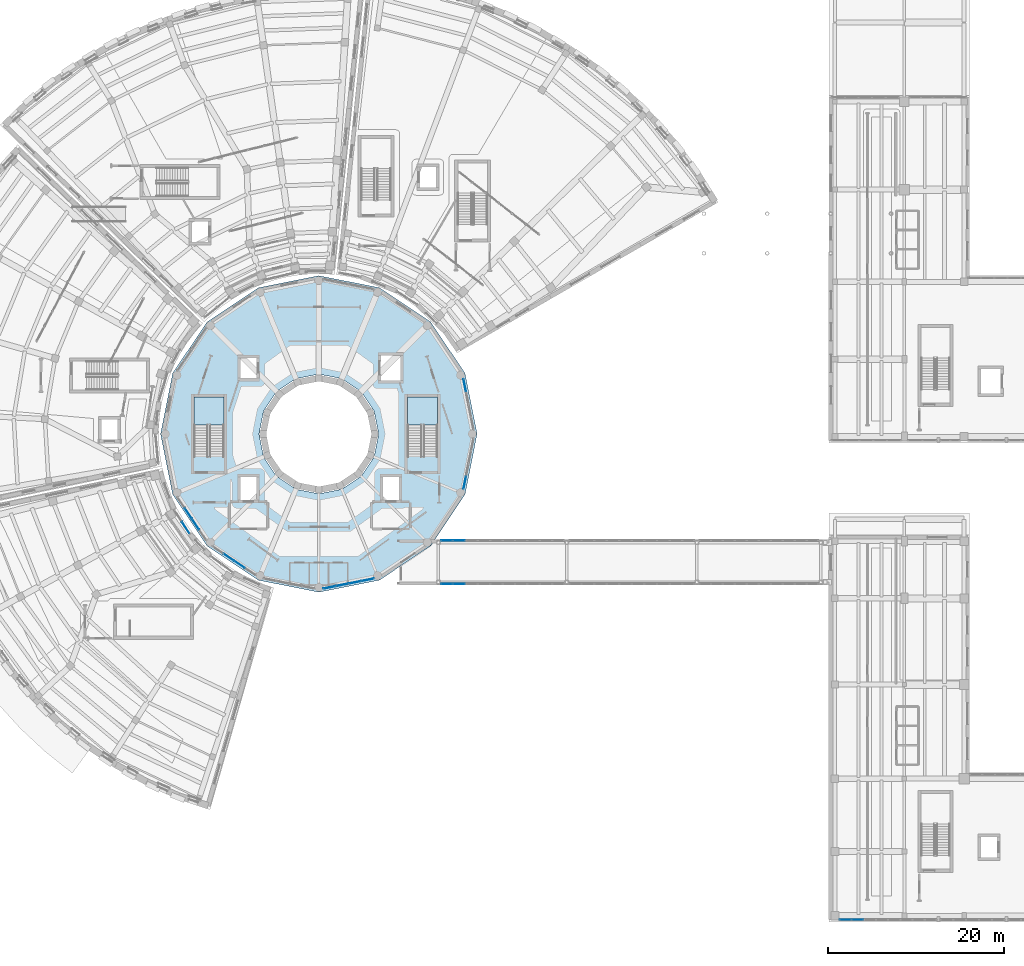
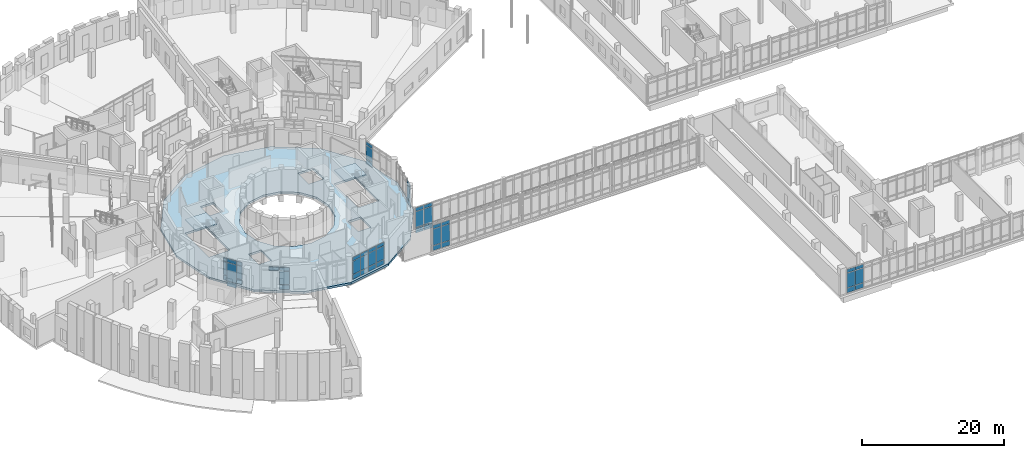
# One storey, part 47 of 89: 49 plates, 3 slabs, 11 elements without a shape of their own.
"""IFC4 building model written with IfcOpenShell, lengths in metres."""

from ifc_helpers import new_model, si_unit, direction, frame, origin, origin_2d, place, context, subcontext, project, spatial, polyline, rectangle, outline, extrude, material, layer, layer_set, type_object, element, aggregate, save


model = new_model("IFC4")

# Units and contexts
model_context = context("Model", 3, precision=1e-05, world=origin(), true_north=direction((0.0, 1.0)))
body_context = subcontext(model_context, "Body", "Model", "MODEL_VIEW")
ifc_project = project(units=[si_unit("LENGTHUNIT", "METRE"), si_unit("AREAUNIT", "SQUARE_METRE"), si_unit("VOLUMEUNIT", "CUBIC_METRE"), si_unit("PLANEANGLEUNIT", "RADIAN"), si_unit("MASSUNIT", "GRAM", prefix="KILO")], contexts=[model_context])

# Site, building, storey
site_placement = place(None, origin())
site = spatial("IfcSite", under=ifc_project, at=site_placement, CompositionType="ELEMENT")
building_placement = place(site_placement, origin())
building = spatial("IfcBuilding", under=site, at=building_placement, Name="Soyqirgoq Riverine Aquarium", CompositionType="ELEMENT")
storey_placement = place(building_placement, frame((0.0, 0.0, 5.39990234375)))
storey = spatial("IfcBuildingStorey", under=building, at=storey_placement, Name="L02", CompositionType="ELEMENT", Elevation=5.39990234375)

# Curtain wall, plates
ifc_material_1 = material(Name="Anodised aluminium thermally broken triple low-E glazing", Category="aluminium")
curtain_wall_type_1 = type_object("IfcCurtainWallType", Name="CW_DrumGallery_Unitised", PredefinedType="NOTDEFINED", material=ifc_material_1)
curtain_wall_1_placement = place(storey_placement, origin())
curtain_wall_1 = element("IfcCurtainWall", 1, at=curtain_wall_1_placement, inside=storey, type_object=curtain_wall_type_1, Name="V1 L02 Curtain Wall 002", PredefinedType="NOTDEFINED")
ifc_material_2 = material(Name="Triple insulated laminated low-E glass", Category="glass")
ifc_layer_1 = layer(ifc_material_2, 0.0458984375)
ifc_layer_set_1 = layer_set([ifc_layer_1], Name="Triple insulated laminated low-E glass")
plate_type_1 = type_object("IfcPlateType", Name="CWGlazedPanel_46", PredefinedType="CURTAIN_PANEL", material=ifc_layer_set_1)
plate_1_placement = place(storey_placement, frame((72.59423828125, 62.55908203125, 0.074951171875), z_axis=(0.0, 0.0, 1.0), x_axis=(-0.195088165618, 0.980785709335, 0.0)))
plate_1 = element("IfcPlate", 2, at=plate_1_placement, type_object=plate_type_1, Name="CW-01 panel 4.1", PredefinedType="CURTAIN_PANEL", context=body_context, shape_type="SweptSolid", body=[
    extrude(rectangle(XDim=1.389892578125, YDim=0.0458984375, at=origin_2d()), origin(), (0.0, 0.0, 1.0), 0.78759765625),
])
plate_2_placement = place(storey_placement, frame((72.59423828125, 62.55908203125, 0.937744140625), z_axis=(0.0, 0.0, 1.0), x_axis=(-0.195088165618, 0.980785709335, 0.0)))
plate_2 = element("IfcPlate", 3, at=plate_2_placement, type_object=plate_type_1, Name="CW-01 panel 4.2", PredefinedType="CURTAIN_PANEL", context=body_context, shape_type="SweptSolid", body=[
    extrude(rectangle(XDim=1.389892578125, YDim=0.0458984375, at=origin_2d()), origin(), (0.0, 0.0, 1.0), 2.27490234375),
])
plate_3_placement = place(storey_placement, frame((72.59423828125, 62.55908203125, 3.28759765625), z_axis=(0.0, 0.0, 1.0), x_axis=(-0.195088165618, 0.980785709335, 0.0)))
plate_3 = element("IfcPlate", 4, at=plate_3_placement, type_object=plate_type_1, Name="CW-01 panel 4.3", PredefinedType="CURTAIN_PANEL", context=body_context, shape_type="SweptSolid", body=[
    extrude(rectangle(XDim=1.389892578125, YDim=0.0458984375, at=origin_2d()), origin(), (0.0, 0.0, 1.0), 0.58740234375),
])
aggregate(curtain_wall_1, [plate_1, plate_2, plate_3])

curtain_wall_2_placement = place(storey_placement, origin())
curtain_wall_2 = element("IfcCurtainWall", 5, at=curtain_wall_2_placement, inside=storey, type_object=curtain_wall_type_1, Name="V1 L02 Curtain Wall 035", PredefinedType="NOTDEFINED")
plate_4_placement = place(storey_placement, frame((41.152587890625, 47.9736328125, 0.074951171875), z_axis=(0.0, 0.0, 1.0), x_axis=(0.5555648253, -0.8314732256, 0.0)))
plate_4 = element("IfcPlate", 6, at=plate_4_placement, type_object=plate_type_1, Name="CW-01 panel 2.1", PredefinedType="CURTAIN_PANEL", context=body_context, shape_type="SweptSolid", body=[
    extrude(rectangle(XDim=1.42236328125, YDim=0.0458984375, at=origin_2d()), origin(), (0.0, 0.0, 1.0), 0.78759765625),
])
plate_5_placement = place(storey_placement, frame((41.152587890625, 47.9736328125, 0.937744140625), z_axis=(0.0, 0.0, 1.0), x_axis=(0.5555648253, -0.8314732256, 0.0)))
plate_5 = element("IfcPlate", 7, at=plate_5_placement, type_object=plate_type_1, Name="CW-01 panel 2.2", PredefinedType="CURTAIN_PANEL", context=body_context, shape_type="SweptSolid", body=[
    extrude(rectangle(XDim=1.42236328125, YDim=0.0458984375, at=origin_2d()), origin(), (0.0, 0.0, 1.0), 2.27490234375),
])
plate_6_placement = place(storey_placement, frame((41.152587890625, 47.9736328125, 3.28759765625), z_axis=(0.0, 0.0, 1.0), x_axis=(0.5555648253, -0.8314732256, 0.0)))
plate_6 = element("IfcPlate", 8, at=plate_6_placement, type_object=plate_type_1, Name="CW-01 panel 2.3", PredefinedType="CURTAIN_PANEL", context=body_context, shape_type="SweptSolid", body=[
    extrude(rectangle(XDim=1.42236328125, YDim=0.0458984375, at=origin_2d()), origin(), (0.0, 0.0, 1.0), 0.58740234375),
])
plate_7_placement = place(storey_placement, frame((41.97900390625, 46.737060546875, 0.074951171875), z_axis=(0.0, 0.0, 1.0), x_axis=(0.5555648253, -0.8314732256, 0.0)))
plate_7 = element("IfcPlate", 9, at=plate_7_placement, type_object=plate_type_1, Name="CW-01 panel 3.1", PredefinedType="CURTAIN_PANEL", context=body_context, shape_type="SweptSolid", body=[
    extrude(rectangle(XDim=1.42236328125, YDim=0.0458984375, at=origin_2d()), origin(), (0.0, 0.0, 1.0), 0.78759765625),
])
plate_8_placement = place(storey_placement, frame((41.97900390625, 46.737060546875, 0.937744140625), z_axis=(0.0, 0.0, 1.0), x_axis=(0.5555648253, -0.8314732256, 0.0)))
plate_8 = element("IfcPlate", 10, at=plate_8_placement, type_object=plate_type_1, Name="CW-01 panel 3.2", PredefinedType="CURTAIN_PANEL", context=body_context, shape_type="SweptSolid", body=[
    extrude(rectangle(XDim=1.42236328125, YDim=0.0458984375, at=origin_2d()), origin(), (0.0, 0.0, 1.0), 2.27490234375),
])
plate_9_placement = place(storey_placement, frame((41.97900390625, 46.737060546875, 3.28759765625), z_axis=(0.0, 0.0, 1.0), x_axis=(0.5555648253, -0.8314732256, 0.0)))
plate_9 = element("IfcPlate", 11, at=plate_9_placement, type_object=plate_type_1, Name="CW-01 panel 3.3", PredefinedType="CURTAIN_PANEL", context=body_context, shape_type="SweptSolid", body=[
    extrude(rectangle(XDim=1.42236328125, YDim=0.0458984375, at=origin_2d()), origin(), (0.0, 0.0, 1.0), 0.58740234375),
])
aggregate(curtain_wall_2, [plate_4, plate_5, plate_6, plate_7, plate_8, plate_9])

curtain_wall_3_placement = place(storey_placement, origin())
curtain_wall_3 = element("IfcCurtainWall", 12, at=curtain_wall_3_placement, inside=storey, type_object=curtain_wall_type_1, Name="V1 L02 Curtain Wall 056", PredefinedType="NOTDEFINED")
plate_10_placement = place(storey_placement, frame((57.21435546875, 39.54150390625, 0.074951171875), z_axis=(0.0, 0.0, 1.0), x_axis=(0.980785709335, 0.195088165618, 0.0)))
plate_10 = element("IfcPlate", 13, at=plate_10_placement, type_object=plate_type_1, Name="CW-01 panel 1.1", PredefinedType="CURTAIN_PANEL", context=body_context, shape_type="SweptSolid", body=[
    extrude(rectangle(XDim=1.389892578125, YDim=0.0458984375, at=origin_2d()), origin(), (0.0, 0.0, 1.0), 0.78759765625),
])
plate_11_placement = place(storey_placement, frame((57.21435546875, 39.54150390625, 0.937744140625), z_axis=(0.0, 0.0, 1.0), x_axis=(0.980785709335, 0.195088165618, 0.0)))
plate_11 = element("IfcPlate", 14, at=plate_11_placement, type_object=plate_type_1, Name="CW-01 panel 1.2", PredefinedType="CURTAIN_PANEL", context=body_context, shape_type="SweptSolid", body=[
    extrude(rectangle(XDim=1.389892578125, YDim=0.0458984375, at=origin_2d()), origin(), (0.0, 0.0, 1.0), 2.27490234375),
])
plate_12_placement = place(storey_placement, frame((57.21435546875, 39.54150390625, 3.28759765625), z_axis=(0.0, 0.0, 1.0), x_axis=(0.980785709335, 0.195088165618, 0.0)))
plate_12 = element("IfcPlate", 15, at=plate_12_placement, type_object=plate_type_1, Name="CW-01 panel 1.3", PredefinedType="CURTAIN_PANEL", context=body_context, shape_type="SweptSolid", body=[
    extrude(rectangle(XDim=1.389892578125, YDim=0.0458984375, at=origin_2d()), origin(), (0.0, 0.0, 1.0), 0.58740234375),
])
plate_13_placement = place(storey_placement, frame((58.6572265625, 39.82861328125, 0.074951171875), z_axis=(0.0, 0.0, 1.0), x_axis=(0.980785709335, 0.195088165618, 0.0)))
plate_13 = element("IfcPlate", 16, at=plate_13_placement, type_object=plate_type_1, Name="CW-01 panel 2.1", PredefinedType="CURTAIN_PANEL", context=body_context, shape_type="SweptSolid", body=[
    extrude(rectangle(XDim=1.42236328125, YDim=0.0458984375, at=origin_2d()), origin(), (0.0, 0.0, 1.0), 0.78759765625),
])
plate_14_placement = place(storey_placement, frame((58.6572265625, 39.82861328125, 0.937744140625), z_axis=(0.0, 0.0, 1.0), x_axis=(0.980785709335, 0.195088165618, 0.0)))
plate_14 = element("IfcPlate", 17, at=plate_14_placement, type_object=plate_type_1, Name="CW-01 panel 2.2", PredefinedType="CURTAIN_PANEL", context=body_context, shape_type="SweptSolid", body=[
    extrude(rectangle(XDim=1.42236328125, YDim=0.0458984375, at=origin_2d()), origin(), (0.0, 0.0, 1.0), 2.27490234375),
])
plate_15_placement = place(storey_placement, frame((58.6572265625, 39.82861328125, 3.28759765625), z_axis=(0.0, 0.0, 1.0), x_axis=(0.980785709335, 0.195088165618, 0.0)))
plate_15 = element("IfcPlate", 18, at=plate_15_placement, type_object=plate_type_1, Name="CW-01 panel 2.3", PredefinedType="CURTAIN_PANEL", context=body_context, shape_type="SweptSolid", body=[
    extrude(rectangle(XDim=1.42236328125, YDim=0.0458984375, at=origin_2d()), origin(), (0.0, 0.0, 1.0), 0.58740234375),
])
plate_16_placement = place(storey_placement, frame((60.1162109375, 40.11865234375, 0.074951171875), z_axis=(0.0, 0.0, 1.0), x_axis=(0.980785709335, 0.195088165618, 0.0)))
plate_16 = element("IfcPlate", 19, at=plate_16_placement, type_object=plate_type_1, Name="CW-01 panel 3.1", PredefinedType="CURTAIN_PANEL", context=body_context, shape_type="SweptSolid", body=[
    extrude(rectangle(XDim=1.42236328125, YDim=0.0458984375, at=origin_2d()), origin(), (0.0, 0.0, 1.0), 0.78759765625),
])
plate_17_placement = place(storey_placement, frame((60.1162109375, 40.11865234375, 0.937744140625), z_axis=(0.0, 0.0, 1.0), x_axis=(0.980785709335, 0.195088165618, 0.0)))
plate_17 = element("IfcPlate", 20, at=plate_17_placement, type_object=plate_type_1, Name="CW-01 panel 3.2", PredefinedType="CURTAIN_PANEL", context=body_context, shape_type="SweptSolid", body=[
    extrude(rectangle(XDim=1.42236328125, YDim=0.0458984375, at=origin_2d()), origin(), (0.0, 0.0, 1.0), 2.27490234375),
])
plate_18_placement = place(storey_placement, frame((60.1162109375, 40.11865234375, 3.28759765625), z_axis=(0.0, 0.0, 1.0), x_axis=(0.980785709335, 0.195088165618, 0.0)))
plate_18 = element("IfcPlate", 21, at=plate_18_placement, type_object=plate_type_1, Name="CW-01 panel 3.3", PredefinedType="CURTAIN_PANEL", context=body_context, shape_type="SweptSolid", body=[
    extrude(rectangle(XDim=1.42236328125, YDim=0.0458984375, at=origin_2d()), origin(), (0.0, 0.0, 1.0), 0.58740234375),
])
plate_19_placement = place(storey_placement, frame((61.55908203125, 40.40576171875, 0.074951171875), z_axis=(0.0, 0.0, 1.0), x_axis=(0.980785709335, 0.195088165618, 0.0)))
plate_19 = element("IfcPlate", 22, at=plate_19_placement, type_object=plate_type_1, Name="CW-01 panel 4.1", PredefinedType="CURTAIN_PANEL", context=body_context, shape_type="SweptSolid", body=[
    extrude(rectangle(XDim=1.389892578125, YDim=0.0458984375, at=origin_2d()), origin(), (0.0, 0.0, 1.0), 0.78759765625),
])
plate_20_placement = place(storey_placement, frame((61.55908203125, 40.40576171875, 0.937744140625), z_axis=(0.0, 0.0, 1.0), x_axis=(0.980785709335, 0.195088165618, 0.0)))
plate_20 = element("IfcPlate", 23, at=plate_20_placement, type_object=plate_type_1, Name="CW-01 panel 4.2", PredefinedType="CURTAIN_PANEL", context=body_context, shape_type="SweptSolid", body=[
    extrude(rectangle(XDim=1.389892578125, YDim=0.0458984375, at=origin_2d()), origin(), (0.0, 0.0, 1.0), 2.27490234375),
])
plate_21_placement = place(storey_placement, frame((61.55908203125, 40.40576171875, 3.28759765625), z_axis=(0.0, 0.0, 1.0), x_axis=(0.980785709335, 0.195088165618, 0.0)))
plate_21 = element("IfcPlate", 24, at=plate_21_placement, type_object=plate_type_1, Name="CW-01 panel 4.3", PredefinedType="CURTAIN_PANEL", context=body_context, shape_type="SweptSolid", body=[
    extrude(rectangle(XDim=1.389892578125, YDim=0.0458984375, at=origin_2d()), origin(), (0.0, 0.0, 1.0), 0.58740234375),
])
aggregate(curtain_wall_3, [plate_10, plate_11, plate_12, plate_13, plate_14, plate_15, plate_16, plate_17, plate_18, plate_19, plate_20, plate_21])

curtain_wall_4_placement = place(storey_placement, origin())
curtain_wall_4 = element("IfcCurtainWall", 25, at=curtain_wall_4_placement, inside=storey, type_object=curtain_wall_type_1, Name="V1 L02 Curtain Wall 073", PredefinedType="NOTDEFINED")
plate_22_placement = place(storey_placement, frame((72.59423828125, 51.44091796875, 0.074951171875), z_axis=(0.0, 0.0, 1.0), x_axis=(0.195088165618, 0.980785709335, 0.0)))
plate_22 = element("IfcPlate", 26, at=plate_22_placement, type_object=plate_type_1, Name="CW-01 panel 1.1", PredefinedType="CURTAIN_PANEL", context=body_context, shape_type="SweptSolid", body=[
    extrude(rectangle(XDim=1.389892578125, YDim=0.0458984375, at=origin_2d()), origin(), (0.0, 0.0, 1.0), 0.78759765625),
])
plate_23_placement = place(storey_placement, frame((72.59423828125, 51.44091796875, 0.937744140625), z_axis=(0.0, 0.0, 1.0), x_axis=(0.195088165618, 0.980785709335, 0.0)))
plate_23 = element("IfcPlate", 27, at=plate_23_placement, type_object=plate_type_1, Name="CW-01 panel 1.2", PredefinedType="CURTAIN_PANEL", context=body_context, shape_type="SweptSolid", body=[
    extrude(rectangle(XDim=1.389892578125, YDim=0.0458984375, at=origin_2d()), origin(), (0.0, 0.0, 1.0), 2.27490234375),
])
plate_24_placement = place(storey_placement, frame((72.59423828125, 51.44091796875, 3.28759765625), z_axis=(0.0, 0.0, 1.0), x_axis=(0.195088165618, 0.980785709335, 0.0)))
plate_24 = element("IfcPlate", 28, at=plate_24_placement, type_object=plate_type_1, Name="CW-01 panel 1.3", PredefinedType="CURTAIN_PANEL", context=body_context, shape_type="SweptSolid", body=[
    extrude(rectangle(XDim=1.389892578125, YDim=0.0458984375, at=origin_2d()), origin(), (0.0, 0.0, 1.0), 0.58740234375),
])
aggregate(curtain_wall_4, [plate_22, plate_23, plate_24])

ifc_material_3 = material(Name="Anodised aluminium thermally broken double low-E glazing", Category="aluminium")
curtain_wall_type_2 = type_object("IfcCurtainWallType", Name="CW_Wedge_NorthBay", PredefinedType="NOTDEFINED", material=ifc_material_3)
curtain_wall_5_placement = place(storey_placement, origin())
curtain_wall_5 = element("IfcCurtainWall", 29, at=curtain_wall_5_placement, inside=storey, type_object=curtain_wall_type_2, Name="V2 L02 Curtain Wall 081", PredefinedType="NOTDEFINED")
plate_25_placement = place(storey_placement, frame((40.8603515625, 46.34716796875, 0.074951171875), z_axis=(0.0, 0.0, 1.0), x_axis=(0.539760190183, -0.841818826764, 0.0)))
plate_25 = element("IfcPlate", 30, at=plate_25_placement, type_object=plate_type_1, Name="CW-03 panel 2.1", PredefinedType="CURTAIN_PANEL", context=body_context, shape_type="SweptSolid", body=[
    extrude(rectangle(XDim=1.51220703125, YDim=0.0458984375, at=origin_2d()), origin(), (0.0, 0.0, 1.0), 0.78759765625),
])
plate_26_placement = place(storey_placement, frame((40.8603515625, 46.34716796875, 0.9375), z_axis=(0.0, 0.0, 1.0), x_axis=(0.539760190183, -0.841818826764, 0.0)))
plate_26 = element("IfcPlate", 31, at=plate_26_placement, type_object=plate_type_1, Name="CW-03 panel 2.2", PredefinedType="CURTAIN_PANEL", context=body_context, shape_type="SweptSolid", body=[
    extrude(rectangle(XDim=1.51220703125, YDim=0.0458984375, at=origin_2d()), origin(), (0.0, 0.0, 1.0), 3.135009765625),
])
plate_27_placement = place(storey_placement, frame((40.8603515625, 46.34716796875, 4.147705078125), z_axis=(0.0, 0.0, 1.0), x_axis=(0.539760190183, -0.841818826764, 0.0)))
plate_27 = element("IfcPlate", 32, at=plate_27_placement, type_object=plate_type_1, Name="CW-03 panel 2.3", PredefinedType="CURTAIN_PANEL", context=body_context, shape_type="SweptSolid", body=[
    extrude(rectangle(XDim=1.51220703125, YDim=0.0458984375, at=origin_2d()), origin(), (0.0, 0.0, 1.0), 0.58740234375),
])
aggregate(curtain_wall_5, [plate_25, plate_26, plate_27])

ifc_material_4 = material(Name="Anodised aluminium thermally broken gallery curtain wall", Category="aluminium")
curtain_wall_type_3 = type_object("IfcCurtainWallType", Name="CW_Pavilion_Ribbon", PredefinedType="NOTDEFINED", material=ifc_material_4)
curtain_wall_6_placement = place(storey_placement, origin())
curtain_wall_6 = element("IfcCurtainWall", 33, at=curtain_wall_6_placement, inside=storey, type_object=curtain_wall_type_3, Name="V6 L02 Curtain Wall 117", PredefinedType="NOTDEFINED")
plate_28_placement = place(storey_placement, frame((117.278076171875, 1.75, 0.074951171875), z_axis=(0.0, 0.0, 1.0), x_axis=(-1.0, 0.0, 0.0)))
plate_28 = element("IfcPlate", 34, at=plate_28_placement, type_object=plate_type_1, Name="CW-05 panel 7.1", PredefinedType="CURTAIN_PANEL", context=body_context, shape_type="SweptSolid", body=[
    extrude(rectangle(XDim=1.32373046875, YDim=0.0458984375, at=origin_2d()), origin(), (0.0, 0.0, 1.0), 0.78759765625),
])
plate_29_placement = place(storey_placement, frame((117.278076171875, 1.75, 0.9375), z_axis=(0.0, 0.0, 1.0), x_axis=(-1.0, 0.0, 0.0)))
plate_29 = element("IfcPlate", 35, at=plate_29_placement, type_object=plate_type_1, Name="CW-05 panel 7.2", PredefinedType="CURTAIN_PANEL", context=body_context, shape_type="SweptSolid", body=[
    extrude(rectangle(XDim=1.32373046875, YDim=0.0458984375, at=origin_2d()), origin(), (0.0, 0.0, 1.0), 2.4951171875),
])
plate_30_placement = place(storey_placement, frame((117.278076171875, 1.75, 3.507568359375), z_axis=(0.0, 0.0, 1.0), x_axis=(-1.0, 0.0, 0.0)))
plate_30 = element("IfcPlate", 36, at=plate_30_placement, type_object=plate_type_1, Name="CW-05 panel 7.3", PredefinedType="CURTAIN_PANEL", context=body_context, shape_type="SweptSolid", body=[
    extrude(rectangle(XDim=1.32373046875, YDim=0.0458984375, at=origin_2d()), origin(), (0.0, 0.0, 1.0), 0.58740234375),
])
plate_31_placement = place(storey_placement, frame((115.905517578125, 1.75, 0.074951171875), z_axis=(0.0, 0.0, 1.0), x_axis=(-1.0, 0.0, 0.0)))
plate_31 = element("IfcPlate", 37, at=plate_31_placement, type_object=plate_type_1, Name="CW-05 panel 8.1", PredefinedType="CURTAIN_PANEL", context=body_context, shape_type="SweptSolid", body=[
    extrude(rectangle(XDim=1.291259765625, YDim=0.0458984375, at=origin_2d()), origin(), (0.0, 0.0, 1.0), 0.78759765625),
])
plate_32_placement = place(storey_placement, frame((115.905517578125, 1.75, 0.9375), z_axis=(0.0, 0.0, 1.0), x_axis=(-1.0, 0.0, 0.0)))
plate_32 = element("IfcPlate", 38, at=plate_32_placement, type_object=plate_type_1, Name="CW-05 panel 8.2", PredefinedType="CURTAIN_PANEL", context=body_context, shape_type="SweptSolid", body=[
    extrude(rectangle(XDim=1.291259765625, YDim=0.0458984375, at=origin_2d()), origin(), (0.0, 0.0, 1.0), 2.4951171875),
])
plate_33_placement = place(storey_placement, frame((115.905517578125, 1.75, 3.507568359375), z_axis=(0.0, 0.0, 1.0), x_axis=(-1.0, 0.0, 0.0)))
plate_33 = element("IfcPlate", 39, at=plate_33_placement, type_object=plate_type_1, Name="CW-05 panel 8.3", PredefinedType="CURTAIN_PANEL", context=body_context, shape_type="SweptSolid", body=[
    extrude(rectangle(XDim=1.291259765625, YDim=0.0458984375, at=origin_2d()), origin(), (0.0, 0.0, 1.0), 0.58740234375),
])
aggregate(curtain_wall_6, [plate_28, plate_29, plate_30, plate_31, plate_32, plate_33])

ifc_material_5 = material(Name="Laminated solar-control bridge curtain wall", Category="aluminium")
curtain_wall_type_4 = type_object("IfcCurtainWallType", Name="CW_Bridge_Concourse", PredefinedType="NOTDEFINED", material=ifc_material_5)
curtain_wall_7_placement = place(storey_placement, origin())
curtain_wall_7 = element("IfcCurtainWall", 40, at=curtain_wall_7_placement, inside=storey, type_object=curtain_wall_type_4, Name="BR-1 L02 Curtain Wall 135", PredefinedType="NOTDEFINED")
plate_34_placement = place(storey_placement, frame((70.56591796875, 39.919921875, 0.074951171875), z_axis=(0.0, 0.0, 1.0), x_axis=(1.0, 0.0, 0.0)))
plate_34 = element("IfcPlate", 41, at=plate_34_placement, type_object=plate_type_1, Name="CW-06 panel 1.1", PredefinedType="CURTAIN_PANEL", context=body_context, shape_type="SweptSolid", body=[
    extrude(rectangle(XDim=1.2919921875, YDim=0.0458984375, at=origin_2d()), origin(), (0.0, 0.0, 1.0), 0.78759765625),
])
plate_35_placement = place(storey_placement, frame((70.56591796875, 39.919921875, 0.9375), z_axis=(0.0, 0.0, 1.0), x_axis=(1.0, 0.0, 0.0)))
plate_35 = element("IfcPlate", 42, at=plate_35_placement, type_object=plate_type_1, Name="CW-06 panel 1.2", PredefinedType="CURTAIN_PANEL", context=body_context, shape_type="SweptSolid", body=[
    extrude(rectangle(XDim=1.2919921875, YDim=0.0458984375, at=origin_2d()), origin(), (0.0, 0.0, 1.0), 2.824951171875),
])
plate_36_placement = place(storey_placement, frame((70.56591796875, 39.919921875, 3.837646484375), z_axis=(0.0, 0.0, 1.0), x_axis=(1.0, 0.0, 0.0)))
plate_36 = element("IfcPlate", 43, at=plate_36_placement, type_object=plate_type_1, Name="CW-06 panel 1.3", PredefinedType="CURTAIN_PANEL", context=body_context, shape_type="SweptSolid", body=[
    extrude(rectangle(XDim=1.2919921875, YDim=0.0458984375, at=origin_2d()), origin(), (0.0, 0.0, 1.0), 0.58740234375),
])
plate_37_placement = place(storey_placement, frame((71.9580078125, 39.919921875, 0.074951171875), z_axis=(0.0, 0.0, 1.0), x_axis=(1.0, 0.0, 0.0)))
plate_37 = element("IfcPlate", 44, at=plate_37_placement, type_object=plate_type_1, Name="CW-06 panel 2.1", PredefinedType="CURTAIN_PANEL", context=body_context, shape_type="SweptSolid", body=[
    extrude(rectangle(XDim=1.33203125, YDim=0.0458984375, at=origin_2d()), origin(), (0.0, 0.0, 1.0), 0.78759765625),
])
plate_38_placement = place(storey_placement, frame((71.9580078125, 39.919921875, 0.9375), z_axis=(0.0, 0.0, 1.0), x_axis=(1.0, 0.0, 0.0)))
plate_38 = element("IfcPlate", 45, at=plate_38_placement, type_object=plate_type_1, Name="CW-06 panel 2.2", PredefinedType="CURTAIN_PANEL", context=body_context, shape_type="SweptSolid", body=[
    extrude(rectangle(XDim=1.33203125, YDim=0.0458984375, at=origin_2d()), origin(), (0.0, 0.0, 1.0), 2.824951171875),
])
plate_39_placement = place(storey_placement, frame((71.9580078125, 39.919921875, 3.837646484375), z_axis=(0.0, 0.0, 1.0), x_axis=(1.0, 0.0, 0.0)))
plate_39 = element("IfcPlate", 46, at=plate_39_placement, type_object=plate_type_1, Name="CW-06 panel 2.3", PredefinedType="CURTAIN_PANEL", context=body_context, shape_type="SweptSolid", body=[
    extrude(rectangle(XDim=1.33203125, YDim=0.0458984375, at=origin_2d()), origin(), (0.0, 0.0, 1.0), 0.58740234375),
])
aggregate(curtain_wall_7, [plate_34, plate_35, plate_36, plate_37, plate_38, plate_39])

curtain_wall_8_placement = place(storey_placement, origin())
curtain_wall_8 = element("IfcCurtainWall", 47, at=curtain_wall_8_placement, inside=storey, type_object=curtain_wall_type_1, Name="V1 L02 Curtain Wall 042", PredefinedType="NOTDEFINED")
ifc_material_6 = material(Name="Insulated shadow-box aluminium spandrel panel", Category="aluminium")
ifc_layer_2 = layer(ifc_material_6, 0.06005859375)
ifc_layer_set_2 = layer_set([ifc_layer_2], Name="Insulated shadow-box aluminium spandrel panel")
plate_type_2 = type_object("IfcPlateType", Name="CWSpandrelPanel_60", PredefinedType="CURTAIN_PANEL", material=ifc_layer_set_2)
plate_40_placement = place(storey_placement, frame((45.737060546875, 42.97900390625, 3.28759765625), z_axis=(0.0, 0.0, 1.0), x_axis=(0.8314732256, -0.5555648253, 0.0)))
plate_40 = element("IfcPlate", 48, at=plate_40_placement, type_object=plate_type_2, Name="CW-01 panel 2.3", PredefinedType="CURTAIN_PANEL", context=body_context, shape_type="SweptSolid", body=[
    extrude(rectangle(XDim=1.42236328125, YDim=0.06005859375, at=origin_2d()), origin(), (0.0, 0.0, 1.0), 0.58740234375),
])
plate_41_placement = place(storey_placement, frame((46.9736328125, 42.152587890625, 0.074951171875), z_axis=(0.0, 0.0, 1.0), x_axis=(0.8314732256, -0.5555648253, 0.0)))
plate_41 = element("IfcPlate", 49, at=plate_41_placement, type_object=plate_type_2, Name="CW-01 panel 3.1", PredefinedType="CURTAIN_PANEL", context=body_context, shape_type="SweptSolid", body=[
    extrude(rectangle(XDim=1.42236328125, YDim=0.06005859375, at=origin_2d()), origin(), (0.0, 0.0, 1.0), 0.78759765625),
])
plate_42_placement = place(storey_placement, frame((46.9736328125, 42.152587890625, 0.937744140625), z_axis=(0.0, 0.0, 1.0), x_axis=(0.8314732256, -0.5555648253, 0.0)))
plate_42 = element("IfcPlate", 50, at=plate_42_placement, type_object=plate_type_2, Name="CW-01 panel 3.2", PredefinedType="CURTAIN_PANEL", context=body_context, shape_type="SweptSolid", body=[
    extrude(rectangle(XDim=1.42236328125, YDim=0.06005859375, at=origin_2d()), origin(), (0.0, 0.0, 1.0), 2.27490234375),
])
plate_43_placement = place(storey_placement, frame((46.9736328125, 42.152587890625, 3.28759765625), z_axis=(0.0, 0.0, 1.0), x_axis=(0.8314732256, -0.5555648253, 0.0)))
plate_43 = element("IfcPlate", 51, at=plate_43_placement, type_object=plate_type_2, Name="CW-01 panel 3.3", PredefinedType="CURTAIN_PANEL", context=body_context, shape_type="SweptSolid", body=[
    extrude(rectangle(XDim=1.42236328125, YDim=0.06005859375, at=origin_2d()), origin(), (0.0, 0.0, 1.0), 0.58740234375),
])
aggregate(curtain_wall_8, [plate_40, plate_41, plate_42, plate_43])

curtain_wall_9_placement = place(storey_placement, origin())
curtain_wall_9 = element("IfcCurtainWall", 52, at=curtain_wall_9_placement, inside=storey, type_object=curtain_wall_type_4, Name="BR-1 L02 Curtain Wall 138", PredefinedType="NOTDEFINED")
plate_44_placement = place(storey_placement, frame((70.56591796875, 44.8798828125, 0.074951171875), z_axis=(0.0, 0.0, 1.0), x_axis=(1.0, 0.0, 0.0)))
plate_44 = element("IfcPlate", 53, at=plate_44_placement, type_object=plate_type_2, Name="CW-06 panel 1.1", PredefinedType="CURTAIN_PANEL", context=body_context, shape_type="SweptSolid", body=[
    extrude(rectangle(XDim=1.2919921875, YDim=0.06005859375, at=origin_2d()), origin(), (0.0, 0.0, 1.0), 0.78759765625),
])
plate_45_placement = place(storey_placement, frame((70.56591796875, 44.8798828125, 0.9375), z_axis=(0.0, 0.0, 1.0), x_axis=(1.0, 0.0, 0.0)))
plate_45 = element("IfcPlate", 54, at=plate_45_placement, type_object=plate_type_2, Name="CW-06 panel 1.2", PredefinedType="CURTAIN_PANEL", context=body_context, shape_type="SweptSolid", body=[
    extrude(rectangle(XDim=1.2919921875, YDim=0.06005859375, at=origin_2d()), origin(), (0.0, 0.0, 1.0), 2.824951171875),
])
plate_46_placement = place(storey_placement, frame((70.56591796875, 44.8798828125, 3.837646484375), z_axis=(0.0, 0.0, 1.0), x_axis=(1.0, 0.0, 0.0)))
plate_46 = element("IfcPlate", 55, at=plate_46_placement, type_object=plate_type_2, Name="CW-06 panel 1.3", PredefinedType="CURTAIN_PANEL", context=body_context, shape_type="SweptSolid", body=[
    extrude(rectangle(XDim=1.2919921875, YDim=0.06005859375, at=origin_2d()), origin(), (0.0, 0.0, 1.0), 0.58740234375),
])
plate_47_placement = place(storey_placement, frame((71.9580078125, 44.8798828125, 0.074951171875), z_axis=(0.0, 0.0, 1.0), x_axis=(1.0, 0.0, 0.0)))
plate_47 = element("IfcPlate", 56, at=plate_47_placement, type_object=plate_type_2, Name="CW-06 panel 2.1", PredefinedType="CURTAIN_PANEL", context=body_context, shape_type="SweptSolid", body=[
    extrude(rectangle(XDim=1.33203125, YDim=0.06005859375, at=origin_2d()), origin(), (0.0, 0.0, 1.0), 0.78759765625),
])
plate_48_placement = place(storey_placement, frame((71.9580078125, 44.8798828125, 0.9375), z_axis=(0.0, 0.0, 1.0), x_axis=(1.0, 0.0, 0.0)))
plate_48 = element("IfcPlate", 57, at=plate_48_placement, type_object=plate_type_2, Name="CW-06 panel 2.2", PredefinedType="CURTAIN_PANEL", context=body_context, shape_type="SweptSolid", body=[
    extrude(rectangle(XDim=1.33203125, YDim=0.06005859375, at=origin_2d()), origin(), (0.0, 0.0, 1.0), 2.824951171875),
])
plate_49_placement = place(storey_placement, frame((71.9580078125, 44.8798828125, 3.837646484375), z_axis=(0.0, 0.0, 1.0), x_axis=(1.0, 0.0, 0.0)))
plate_49 = element("IfcPlate", 58, at=plate_49_placement, type_object=plate_type_2, Name="CW-06 panel 2.3", PredefinedType="CURTAIN_PANEL", context=body_context, shape_type="SweptSolid", body=[
    extrude(rectangle(XDim=1.33203125, YDim=0.06005859375, at=origin_2d()), origin(), (0.0, 0.0, 1.0), 0.58740234375),
])
aggregate(curtain_wall_9, [plate_44, plate_45, plate_46, plate_47, plate_48, plate_49])

# Stair, slab
ifc_material_7 = material(Name="Concrete C35/45", Category="concrete")
stair_type = type_object("IfcStairType", Name="CoreDoglegStair_RC", PredefinedType="HALF_TURN_STAIR", material=ifc_material_7)
stair_1_placement = place(storey_placement, origin())
stair_1 = element("IfcStair", 59, at=stair_1_placement, inside=storey, type_object=stair_type, Name="L02 Enclosed Exit Stair ST-1", PredefinedType="HALF_TURN_STAIR")
ifc_material_8 = material(Name="Concrete C35/45", Category="concrete")
ifc_layer_3 = layer(ifc_material_8, 0.199951171875)
ifc_layer_set_3 = layer_set([ifc_layer_3], Name="Concrete C35/45")
slab_type_1 = type_object("IfcSlabType", Name="CoreStairLanding_RC", PredefinedType="LANDING", material=ifc_layer_set_3)
slab_1_placement = place(storey_placement, frame((0.0, 0.0, 2.2001953125)))
slab_1 = element("IfcSlab", 60, at=slab_1_placement, type_object=slab_type_1, Name="ST-1 landing 1", PredefinedType="LANDING", context=body_context, shape_type="SweptSolid", body=[
    extrude(outline(polyline([(69.5, 58.0), (69.5, 61.199951171875), (66.10009765625, 61.199951171875), (66.10009765625, 58.0), (69.5, 58.0)])), origin(), (0.0, 0.0, 1.0), 0.199951171875),
])
aggregate(stair_1, [slab_1])

stair_2_placement = place(storey_placement, origin())
stair_2 = element("IfcStair", 61, at=stair_2_placement, inside=storey, type_object=stair_type, Name="L02 Enclosed Exit Stair ST-9", PredefinedType="HALF_TURN_STAIR")
slab_2_placement = place(storey_placement, frame((0.0, 0.0, 2.2001953125)))
slab_2 = element("IfcSlab", 62, at=slab_2_placement, type_object=slab_type_1, Name="ST-9 landing 1", PredefinedType="LANDING", context=body_context, shape_type="SweptSolid", body=[
    extrude(outline(polyline([(45.199951171875, 58.0), (45.199951171875, 61.199951171875), (41.800048828125, 61.199951171875), (41.800048828125, 58.0), (45.199951171875, 58.0)])), origin(), (0.0, 0.0, 1.0), 0.199951171875),
])
aggregate(stair_2, [slab_2])

# Slab
ifc_material_9 = material(Name="Concrete C40/50", Category="concrete")
ifc_layer_4 = layer(ifc_material_9, 0.35009765625)
ifc_layer_set_4 = layer_set([ifc_layer_4], Name="Concrete C40/50")
slab_type_2 = type_object("IfcSlabType", Name="FloorSlab_350_C40", PredefinedType="FLOOR", material=ifc_layer_set_4)
slab_3_placement = place(storey_placement, frame((0.0, 0.0, -0.349853515625)))
element("IfcSlab", 63, at=slab_3_placement, inside=storey, type_object=slab_type_2, Name="V1 L02 Suspended Floor Slab", PredefinedType="FLOOR", context=body_context, shape_type="SweptSolid", body=[
    extrude(outline(polyline([(74.0, 57.0), (72.6298828125, 63.88818359375), (68.727783203125, 69.727783203125), (62.88818359375, 73.6298828125), (56.0, 75.0), (49.11181640625, 73.6298828125), (43.272216796875, 69.727783203125), (39.3701171875, 63.88818359375), (38.0, 57.0), (39.3701171875, 50.11181640625), (43.272216796875, 44.272216796875), (49.11181640625, 40.3701171875), (56.0, 39.0), (62.88818359375, 40.3701171875), (68.727783203125, 44.272216796875), (72.6298828125, 50.11181640625), (74.0, 57.0)]), holes=[polyline([(69.5, 54.425048828125), (69.5, 61.199951171875), (66.10009765625, 61.199951171875), (66.10009765625, 54.425048828125), (69.5, 54.425048828125)]), polyline([(63.14990234375, 49.35009765625), (65.25, 49.35009765625), (65.25, 52.25), (63.14990234375, 52.25), (63.14990234375, 49.35009765625)]), polyline([(62.949951171875, 62.949951171875), (65.449951171875, 62.949951171875), (65.449951171875, 66.050048828125), (62.949951171875, 66.050048828125), (62.949951171875, 62.949951171875)]), polyline([(45.199951171875, 54.425048828125), (45.199951171875, 61.199951171875), (41.800048828125, 61.199951171875), (41.800048828125, 54.425048828125), (45.199951171875, 54.425048828125)]), polyline([(46.949951171875, 49.35009765625), (49.050048828125, 49.35009765625), (49.050048828125, 52.25), (46.949951171875, 52.25), (46.949951171875, 49.35009765625)]), polyline([(46.949951171875, 63.199951171875), (49.050048828125, 63.199951171875), (49.050048828125, 65.800048828125), (46.949951171875, 65.800048828125), (46.949951171875, 63.199951171875)]), polyline([(62.800048828125, 57.0), (62.282470703125, 59.602294921875), (60.808349609375, 61.808349609375), (58.602294921875, 63.282470703125), (56.0, 63.800048828125), (53.397705078125, 63.282470703125), (51.191650390625, 61.808349609375), (49.717529296875, 59.602294921875), (49.199951171875, 57.0), (49.717529296875, 54.397705078125), (51.191650390625, 52.191650390625), (53.397705078125, 50.717529296875), (56.0, 50.199951171875), (58.602294921875, 50.717529296875), (60.808349609375, 52.191650390625), (62.282470703125, 54.397705078125), (62.800048828125, 57.0)])]), origin(), (0.0, 0.0, 1.0), 0.349853515625),
])

save(model, "model.ifc")
